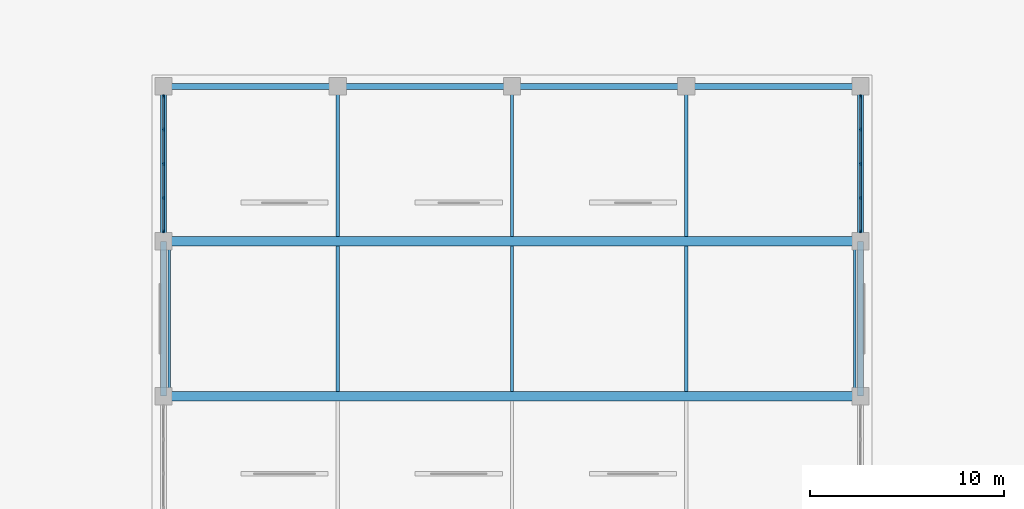
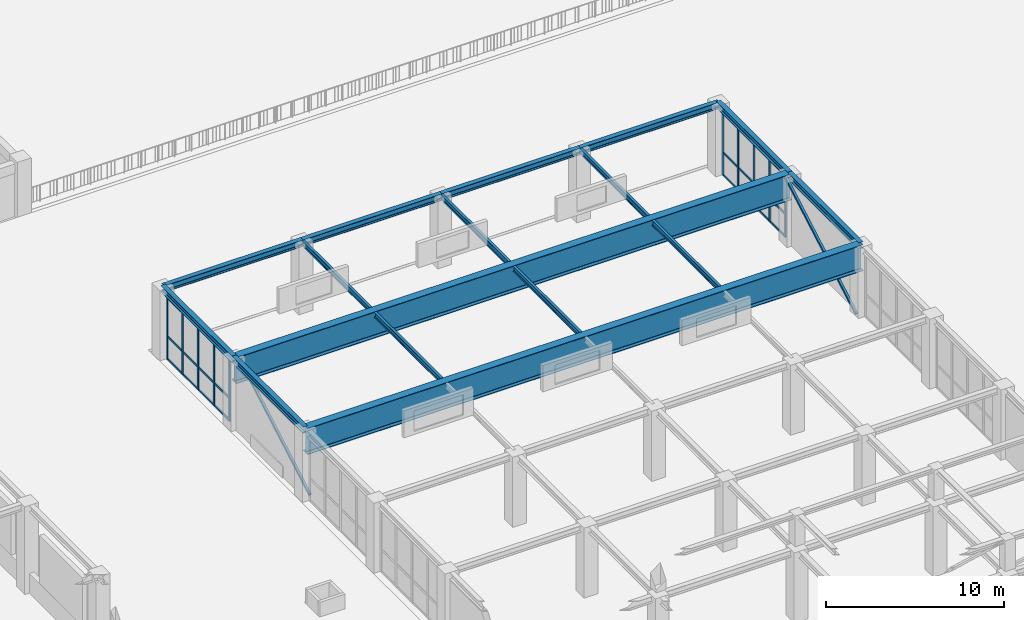
# One storey, part 4 of 34: 18 members, 16 beams, 2 elements without a shape of their own.
"""IFC4 building model written with IfcOpenShell, lengths in metres."""

from ifc_helpers import new_model, si_unit, direction, frame, origin, origin_2d, place, context, subcontext, project, spatial, rectangle, hollow_rectangle, i_section, extrude, material, material_profile, profile_set, type_object, element, aggregate, save


model = new_model("IFC4")

# Units and contexts
model_context = context("Model", 3, precision=1e-05, world=origin(), true_north=direction((0.0, 1.0)))
body_context = subcontext(model_context, "Body", "Model", "MODEL_VIEW")
ifc_project = project(units=[si_unit("LENGTHUNIT", "METRE"), si_unit("AREAUNIT", "SQUARE_METRE"), si_unit("VOLUMEUNIT", "CUBIC_METRE"), si_unit("PLANEANGLEUNIT", "RADIAN"), si_unit("MASSUNIT", "GRAM", prefix="KILO")], contexts=[model_context])

# Site, building, storey
site_placement = place(None, origin())
site = spatial("IfcSite", under=ifc_project, at=site_placement, CompositionType="ELEMENT")
building_placement = place(site_placement, origin())
building = spatial("IfcBuilding", under=site, at=building_placement, Name="Zaverband Oceanarium and Marine Research Institute", CompositionType="ELEMENT")
storey_placement = place(building_placement, frame((0.0, 0.0, 18.0)))
storey = spatial("IfcBuildingStorey", under=building, at=storey_placement, Name="L04", CompositionType="ELEMENT", Elevation=18.0)

# Members
ifc_material_1 = material(Name="Steel S355", Category="steel")
ifc_material_profile_1 = material_profile(ifc_material_1, hollow_rectangle(XDim=0.14990234375, YDim=0.14990234375, WallThickness=0.008056640625, at=origin_2d()), Name="SHS150x150x8")
ifc_profile_set_1 = profile_set([ifc_material_profile_1], Name="Steel S355")
member_type_1 = type_object("IfcMemberType", Name="BR-04", PredefinedType="BRACE", material=ifc_profile_set_1)
for number, where, z_axis, x_axis, name in (
    (1, (72.300048828125, 32.0, 0.0), (0.0, 0.866901730117, 0.498479077114), (-1.0, 0.0, 0.0), "Diagonal lateral brace BR-04"),
    (2, (107.699951171875, 32.0, 0.0), (0.0, 0.866901730117, 0.498479077114), (-1.0, 0.0, 0.0), "Diagonal lateral brace BR-04"),
):
    element("IfcMember", number, at=place(storey_placement, frame(where, z_axis=z_axis, x_axis=x_axis)), inside=storey, type_object=member_type_1, Name=name, PredefinedType="BRACE", context=body_context, shape_type="SweptSolid", body=[
        extrude(hollow_rectangle(XDim=0.14990234375, YDim=0.14990234375, WallThickness=0.008056640625, at=origin_2d()), origin(), (0.0, 0.0, 1.0), 9.228271484375),
    ])

# Beams
ifc_material_profile_2 = material_profile(ifc_material_1, i_section(OverallWidth=0.5, OverallDepth=1.800048828125, WebThickness=0.02197265625, FlangeThickness=0.035888671875, FilletRadius=0.027099609375, at=origin_2d()), Name="PG1800x500")
ifc_profile_set_2 = profile_set([ifc_material_profile_2], Name="Steel S355")
beam_type_1 = type_object("IfcBeamType", Name="LG-PG1800", PredefinedType="BEAM", material=ifc_profile_set_2)
for number, where, z_axis, x_axis, name in (
    (3, (72.0, 32.0, 3.89990234375), (1.0, 0.0, 0.0), (0.0, 1.0, 0.0), "Long-span steel plate girder LG-PG1800"),
    (4, (72.0, 40.0, 3.89990234375), (1.0, 0.0, 0.0), (0.0, 1.0, 0.0), "Long-span steel plate girder LG-PG1800"),
):
    element("IfcBeam", number, at=place(storey_placement, frame(where, z_axis=z_axis, x_axis=x_axis)), inside=storey, type_object=beam_type_1, Name=name, PredefinedType="BEAM", context=body_context, shape_type="SweptSolid", body=[
        extrude(i_section(OverallWidth=0.5, OverallDepth=1.800048828125, WebThickness=0.02197265625, FlangeThickness=0.035888671875, FilletRadius=0.027099609375, at=origin_2d()), origin(), (0.0, 0.0, 1.0), 36.0),
    ])

# Curtain wall, members
ifc_material_2 = material(Name="Thermally broken anodized aluminium and solar-control glass", Category="aluminium")
curtain_wall_type = type_object("IfcCurtainWallType", Name="CW-UNIT-1800", PredefinedType="NOTDEFINED", material=ifc_material_2)
curtain_wall_1_placement = place(storey_placement, origin())
curtain_wall_1 = element("IfcCurtainWall", 5, at=curtain_wall_1_placement, inside=storey, type_object=curtain_wall_type, Name="Unitised glazed curtain wall CW-190", PredefinedType="NOTDEFINED")
ifc_material_3 = material(Name="Thermally broken anodized aluminium", Category="aluminium")
ifc_material_profile_3 = material_profile(ifc_material_3, rectangle(XDim=0.080078125, YDim=0.179931640625, at=origin_2d()), Name="AL-MUL-80x180")
ifc_profile_set_3 = profile_set([ifc_material_profile_3], Name="Thermally broken anodized aluminium")
member_type_2 = type_object("IfcMemberType", Name="MUL-80x180", PredefinedType="MULLION", material=ifc_profile_set_3)
member_1_placement = place(storey_placement, frame((72.0, 40.52001953125, 0.0), z_axis=(0.0, 0.0, 1.0), x_axis=(1.0, 0.0, 0.0)))
member_1 = element("IfcMember", 6, at=member_1_placement, type_object=member_type_2, Name="Curtain wall vertical mullion MUL-80x180", PredefinedType="MULLION", context=body_context, shape_type="SweptSolid", body=[
    extrude(rectangle(XDim=0.080078125, YDim=0.179931640625, at=origin_2d()), origin(), (0.0, 0.0, 1.0), 4.300048828125),
])
member_2_placement = place(storey_placement, frame((72.0, 42.22998046875, 0.0), z_axis=(0.0, 0.0, 1.0), x_axis=(1.0, 0.0, 0.0)))
member_2 = element("IfcMember", 7, at=member_2_placement, type_object=member_type_2, Name="Curtain wall vertical mullion MUL-80x180", PredefinedType="MULLION", context=body_context, shape_type="SweptSolid", body=[
    extrude(rectangle(XDim=0.080078125, YDim=0.179931640625, at=origin_2d()), origin(), (0.0, 0.0, 1.0), 4.300048828125),
])
member_3_placement = place(storey_placement, frame((72.0, 44.0, 0.0), z_axis=(0.0, 0.0, 1.0), x_axis=(1.0, 0.0, 0.0)))
member_3 = element("IfcMember", 8, at=member_3_placement, type_object=member_type_2, Name="Curtain wall vertical mullion MUL-80x180", PredefinedType="MULLION", context=body_context, shape_type="SweptSolid", body=[
    extrude(rectangle(XDim=0.080078125, YDim=0.179931640625, at=origin_2d()), origin(), (0.0, 0.0, 1.0), 4.300048828125),
])
member_4_placement = place(storey_placement, frame((72.0, 45.77001953125, 0.0), z_axis=(0.0, 0.0, 1.0), x_axis=(1.0, 0.0, 0.0)))
member_4 = element("IfcMember", 9, at=member_4_placement, type_object=member_type_2, Name="Curtain wall vertical mullion MUL-80x180", PredefinedType="MULLION", context=body_context, shape_type="SweptSolid", body=[
    extrude(rectangle(XDim=0.080078125, YDim=0.179931640625, at=origin_2d()), origin(), (0.0, 0.0, 1.0), 4.300048828125),
])
member_5_placement = place(storey_placement, frame((72.0, 47.47998046875, 0.0), z_axis=(0.0, 0.0, 1.0), x_axis=(1.0, 0.0, 0.0)))
member_5 = element("IfcMember", 10, at=member_5_placement, type_object=member_type_2, Name="Curtain wall vertical mullion MUL-80x180", PredefinedType="MULLION", context=body_context, shape_type="SweptSolid", body=[
    extrude(rectangle(XDim=0.080078125, YDim=0.179931640625, at=origin_2d()), origin(), (0.0, 0.0, 1.0), 4.300048828125),
])

curtain_wall_2_placement = place(storey_placement, origin())
curtain_wall_2 = element("IfcCurtainWall", 11, at=curtain_wall_2_placement, inside=storey, type_object=curtain_wall_type, Name="Unitised glazed curtain wall CW-194", PredefinedType="NOTDEFINED")
member_6_placement = place(storey_placement, frame((108.0, 40.52001953125, 0.0), z_axis=(0.0, 0.0, 1.0), x_axis=(1.0, 0.0, 0.0)))
member_6 = element("IfcMember", 12, at=member_6_placement, type_object=member_type_2, Name="Curtain wall vertical mullion MUL-80x180", PredefinedType="MULLION", context=body_context, shape_type="SweptSolid", body=[
    extrude(rectangle(XDim=0.080078125, YDim=0.179931640625, at=origin_2d()), origin(), (0.0, 0.0, 1.0), 4.300048828125),
])
member_7_placement = place(storey_placement, frame((108.0, 42.22998046875, 0.0), z_axis=(0.0, 0.0, 1.0), x_axis=(1.0, 0.0, 0.0)))
member_7 = element("IfcMember", 13, at=member_7_placement, type_object=member_type_2, Name="Curtain wall vertical mullion MUL-80x180", PredefinedType="MULLION", context=body_context, shape_type="SweptSolid", body=[
    extrude(rectangle(XDim=0.080078125, YDim=0.179931640625, at=origin_2d()), origin(), (0.0, 0.0, 1.0), 4.300048828125),
])
member_8_placement = place(storey_placement, frame((108.0, 44.0, 0.0), z_axis=(0.0, 0.0, 1.0), x_axis=(1.0, 0.0, 0.0)))
member_8 = element("IfcMember", 14, at=member_8_placement, type_object=member_type_2, Name="Curtain wall vertical mullion MUL-80x180", PredefinedType="MULLION", context=body_context, shape_type="SweptSolid", body=[
    extrude(rectangle(XDim=0.080078125, YDim=0.179931640625, at=origin_2d()), origin(), (0.0, 0.0, 1.0), 4.300048828125),
])
member_9_placement = place(storey_placement, frame((108.0, 45.77001953125, 0.0), z_axis=(0.0, 0.0, 1.0), x_axis=(1.0, 0.0, 0.0)))
member_9 = element("IfcMember", 15, at=member_9_placement, type_object=member_type_2, Name="Curtain wall vertical mullion MUL-80x180", PredefinedType="MULLION", context=body_context, shape_type="SweptSolid", body=[
    extrude(rectangle(XDim=0.080078125, YDim=0.179931640625, at=origin_2d()), origin(), (0.0, 0.0, 1.0), 4.300048828125),
])
member_10_placement = place(storey_placement, frame((108.0, 47.47998046875, 0.0), z_axis=(0.0, 0.0, 1.0), x_axis=(1.0, 0.0, 0.0)))
member_10 = element("IfcMember", 16, at=member_10_placement, type_object=member_type_2, Name="Curtain wall vertical mullion MUL-80x180", PredefinedType="MULLION", context=body_context, shape_type="SweptSolid", body=[
    extrude(rectangle(XDim=0.080078125, YDim=0.179931640625, at=origin_2d()), origin(), (0.0, 0.0, 1.0), 4.300048828125),
])

# Beams
ifc_material_profile_4 = material_profile(ifc_material_1, i_section(OverallWidth=0.300048828125, OverallDepth=0.449951171875, WebThickness=0.013916015625, FlangeThickness=0.02587890625, FilletRadius=0.027099609375, at=origin_2d()), Name="HEB450")
ifc_profile_set_4 = profile_set([ifc_material_profile_4], Name="Steel S355")
beam_type_2 = type_object("IfcBeamType", Name="SB-HEB450", PredefinedType="BEAM", material=ifc_profile_set_4)
for number, where, z_axis, x_axis, name in (
    (17, (72.0, 48.0, 4.574951171875), (1.0, 0.0, 0.0), (0.0, 1.0, 0.0), "Primary steel canopy girder SB-HEB450"),
    (18, (81.0, 48.0, 4.574951171875), (1.0, 0.0, 0.0), (0.0, 1.0, 0.0), "Primary steel canopy girder SB-HEB450"),
    (19, (90.0, 48.0, 4.574951171875), (1.0, 0.0, 0.0), (0.0, 1.0, 0.0), "Primary steel canopy girder SB-HEB450"),
    (20, (99.0, 48.0, 4.574951171875), (1.0, 0.0, 0.0), (0.0, 1.0, 0.0), "Primary steel canopy girder SB-HEB450"),
):
    element("IfcBeam", number, at=place(storey_placement, frame(where, z_axis=z_axis, x_axis=x_axis)), inside=storey, type_object=beam_type_2, Name=name, PredefinedType="BEAM", context=body_context, shape_type="SweptSolid", body=[
        extrude(i_section(OverallWidth=0.300048828125, OverallDepth=0.449951171875, WebThickness=0.013916015625, FlangeThickness=0.02587890625, FilletRadius=0.027099609375, at=origin_2d()), origin(), (0.0, 0.0, 1.0), 9.0),
    ])
for number, where, z_axis, x_axis, name in (
    (21, (72.0, 32.0, 4.574951171875), (0.0, 1.0, 0.0), (-1.0, 0.0, 0.0), "Primary steel canopy girder SB-HEB450"),
    (22, (72.0, 40.0, 4.574951171875), (0.0, 1.0, 0.0), (-1.0, 0.0, 0.0), "Primary steel canopy girder SB-HEB450"),
    (23, (108.0, 32.0, 4.574951171875), (0.0, 1.0, 0.0), (-1.0, 0.0, 0.0), "Primary steel canopy girder SB-HEB450"),
    (24, (108.0, 40.0, 4.574951171875), (0.0, 1.0, 0.0), (-1.0, 0.0, 0.0), "Primary steel canopy girder SB-HEB450"),
):
    element("IfcBeam", number, at=place(storey_placement, frame(where, z_axis=z_axis, x_axis=x_axis)), inside=storey, type_object=beam_type_2, Name=name, PredefinedType="BEAM", context=body_context, shape_type="SweptSolid", body=[
        extrude(i_section(OverallWidth=0.300048828125, OverallDepth=0.449951171875, WebThickness=0.013916015625, FlangeThickness=0.02587890625, FilletRadius=0.027099609375, at=origin_2d()), origin(), (0.0, 0.0, 1.0), 8.0),
    ])
ifc_material_profile_5 = material_profile(ifc_material_1, i_section(OverallWidth=0.169921875, OverallDepth=0.360107421875, WebThickness=0.008056640625, FlangeThickness=0.0126953125, FilletRadius=0.01806640625, at=origin_2d()), Name="IPE360")
ifc_profile_set_5 = profile_set([ifc_material_profile_5], Name="Steel S355")
beam_type_3 = type_object("IfcBeamType", Name="SB-IPE360", PredefinedType="JOIST", material=ifc_profile_set_5)
beam_1_placement = place(storey_placement, frame((81.0, 32.25, 4.6201171875), z_axis=(0.0, 1.0, 0.0), x_axis=(-1.0, 0.0, 0.0)))
element("IfcBeam", 25, at=beam_1_placement, inside=storey, type_object=beam_type_3, Name="Atrium secondary steel joist SB-IPE360", PredefinedType="JOIST", context=body_context, shape_type="SweptSolid", body=[
    extrude(i_section(OverallWidth=0.169921875, OverallDepth=0.360107421875, WebThickness=0.008056640625, FlangeThickness=0.0126953125, FilletRadius=0.01806640625, at=origin_2d()), origin(), (0.0, 0.0, 1.0), 7.5),
])
beam_2_placement = place(storey_placement, frame((81.0, 40.25, 4.6201171875), z_axis=(0.0, 1.0, 0.0), x_axis=(-1.0, 0.0, 0.0)))
element("IfcBeam", 26, at=beam_2_placement, inside=storey, type_object=beam_type_3, Name="Atrium secondary steel joist SB-IPE360", PredefinedType="JOIST", context=body_context, shape_type="SweptSolid", body=[
    extrude(i_section(OverallWidth=0.169921875, OverallDepth=0.360107421875, WebThickness=0.008056640625, FlangeThickness=0.0126953125, FilletRadius=0.01806640625, at=origin_2d()), origin(), (0.0, 0.0, 1.0), 7.60009765625),
])
beam_3_placement = place(storey_placement, frame((90.0, 32.25, 4.6201171875), z_axis=(0.0, 1.0, 0.0), x_axis=(-1.0, 0.0, 0.0)))
element("IfcBeam", 27, at=beam_3_placement, inside=storey, type_object=beam_type_3, Name="Atrium secondary steel joist SB-IPE360", PredefinedType="JOIST", context=body_context, shape_type="SweptSolid", body=[
    extrude(i_section(OverallWidth=0.169921875, OverallDepth=0.360107421875, WebThickness=0.008056640625, FlangeThickness=0.0126953125, FilletRadius=0.01806640625, at=origin_2d()), origin(), (0.0, 0.0, 1.0), 7.5),
])
beam_4_placement = place(storey_placement, frame((90.0, 40.25, 4.6201171875), z_axis=(0.0, 1.0, 0.0), x_axis=(-1.0, 0.0, 0.0)))
element("IfcBeam", 28, at=beam_4_placement, inside=storey, type_object=beam_type_3, Name="Atrium secondary steel joist SB-IPE360", PredefinedType="JOIST", context=body_context, shape_type="SweptSolid", body=[
    extrude(i_section(OverallWidth=0.169921875, OverallDepth=0.360107421875, WebThickness=0.008056640625, FlangeThickness=0.0126953125, FilletRadius=0.01806640625, at=origin_2d()), origin(), (0.0, 0.0, 1.0), 7.60009765625),
])
beam_5_placement = place(storey_placement, frame((99.0, 32.25, 4.6201171875), z_axis=(0.0, 1.0, 0.0), x_axis=(-1.0, 0.0, 0.0)))
element("IfcBeam", 29, at=beam_5_placement, inside=storey, type_object=beam_type_3, Name="Atrium secondary steel joist SB-IPE360", PredefinedType="JOIST", context=body_context, shape_type="SweptSolid", body=[
    extrude(i_section(OverallWidth=0.169921875, OverallDepth=0.360107421875, WebThickness=0.008056640625, FlangeThickness=0.0126953125, FilletRadius=0.01806640625, at=origin_2d()), origin(), (0.0, 0.0, 1.0), 7.5),
])
beam_6_placement = place(storey_placement, frame((99.0, 40.25, 4.6201171875), z_axis=(0.0, 1.0, 0.0), x_axis=(-1.0, 0.0, 0.0)))
element("IfcBeam", 30, at=beam_6_placement, inside=storey, type_object=beam_type_3, Name="Atrium secondary steel joist SB-IPE360", PredefinedType="JOIST", context=body_context, shape_type="SweptSolid", body=[
    extrude(i_section(OverallWidth=0.169921875, OverallDepth=0.360107421875, WebThickness=0.008056640625, FlangeThickness=0.0126953125, FilletRadius=0.01806640625, at=origin_2d()), origin(), (0.0, 0.0, 1.0), 7.60009765625),
])

# Member
ifc_material_profile_6 = material_profile(ifc_material_3, rectangle(XDim=0.080078125, YDim=0.139892578125, at=origin_2d()), Name="AL-TRN-80x140")
ifc_profile_set_6 = profile_set([ifc_material_profile_6], Name="Thermally broken anodized aluminium")
member_type_3 = type_object("IfcMemberType", Name="TRN-80x140", PredefinedType="USERDEFINED", material=ifc_profile_set_6)
member_11_placement = place(storey_placement, frame((72.0, 40.52001953125, 0.050048828125), z_axis=(0.0, 1.0, 0.0), x_axis=(-1.0, 0.0, 0.0)))
member_11 = element("IfcMember", 31, at=member_11_placement, type_object=member_type_3, Name="Curtain wall horizontal transom TRN-80x140", ObjectType="TRANSOM", PredefinedType="USERDEFINED", context=body_context, shape_type="SweptSolid", body=[
    extrude(rectangle(XDim=0.080078125, YDim=0.139892578125, at=origin_2d()), origin(), (0.0, 0.0, 1.0), 6.9599609375),
])

member_12_placement = place(storey_placement, frame((72.0, 40.52001953125, 1.5849609375), z_axis=(0.0, 1.0, 0.0), x_axis=(-1.0, 0.0, 0.0)))
member_12 = element("IfcMember", 32, at=member_12_placement, type_object=member_type_3, Name="Curtain wall horizontal transom TRN-80x140", ObjectType="TRANSOM", PredefinedType="USERDEFINED", context=body_context, shape_type="SweptSolid", body=[
    extrude(rectangle(XDim=0.080078125, YDim=0.139892578125, at=origin_2d()), origin(), (0.0, 0.0, 1.0), 6.9599609375),
])

member_13_placement = place(storey_placement, frame((72.0, 40.52001953125, 4.25), z_axis=(0.0, 1.0, 0.0), x_axis=(-1.0, 0.0, 0.0)))
member_13 = element("IfcMember", 33, at=member_13_placement, type_object=member_type_3, Name="Curtain wall horizontal transom TRN-80x140", ObjectType="TRANSOM", PredefinedType="USERDEFINED", context=body_context, shape_type="SweptSolid", body=[
    extrude(rectangle(XDim=0.080078125, YDim=0.139892578125, at=origin_2d()), origin(), (0.0, 0.0, 1.0), 6.9599609375),
])

aggregate(curtain_wall_1, [member_1, member_2, member_3, member_4, member_5, member_11, member_12, member_13])

member_14_placement = place(storey_placement, frame((108.0, 40.52001953125, 0.050048828125), z_axis=(0.0, 1.0, 0.0), x_axis=(-1.0, 0.0, 0.0)))
member_14 = element("IfcMember", 34, at=member_14_placement, type_object=member_type_3, Name="Curtain wall horizontal transom TRN-80x140", ObjectType="TRANSOM", PredefinedType="USERDEFINED", context=body_context, shape_type="SweptSolid", body=[
    extrude(rectangle(XDim=0.080078125, YDim=0.139892578125, at=origin_2d()), origin(), (0.0, 0.0, 1.0), 6.9599609375),
])

member_15_placement = place(storey_placement, frame((108.0, 40.52001953125, 1.5849609375), z_axis=(0.0, 1.0, 0.0), x_axis=(-1.0, 0.0, 0.0)))
member_15 = element("IfcMember", 35, at=member_15_placement, type_object=member_type_3, Name="Curtain wall horizontal transom TRN-80x140", ObjectType="TRANSOM", PredefinedType="USERDEFINED", context=body_context, shape_type="SweptSolid", body=[
    extrude(rectangle(XDim=0.080078125, YDim=0.139892578125, at=origin_2d()), origin(), (0.0, 0.0, 1.0), 6.9599609375),
])

member_16_placement = place(storey_placement, frame((108.0, 40.52001953125, 4.25), z_axis=(0.0, 1.0, 0.0), x_axis=(-1.0, 0.0, 0.0)))
member_16 = element("IfcMember", 36, at=member_16_placement, type_object=member_type_3, Name="Curtain wall horizontal transom TRN-80x140", ObjectType="TRANSOM", PredefinedType="USERDEFINED", context=body_context, shape_type="SweptSolid", body=[
    extrude(rectangle(XDim=0.080078125, YDim=0.139892578125, at=origin_2d()), origin(), (0.0, 0.0, 1.0), 6.9599609375),
])

aggregate(curtain_wall_2, [member_6, member_7, member_8, member_9, member_10, member_14, member_15, member_16])

save(model, "model.ifc")
